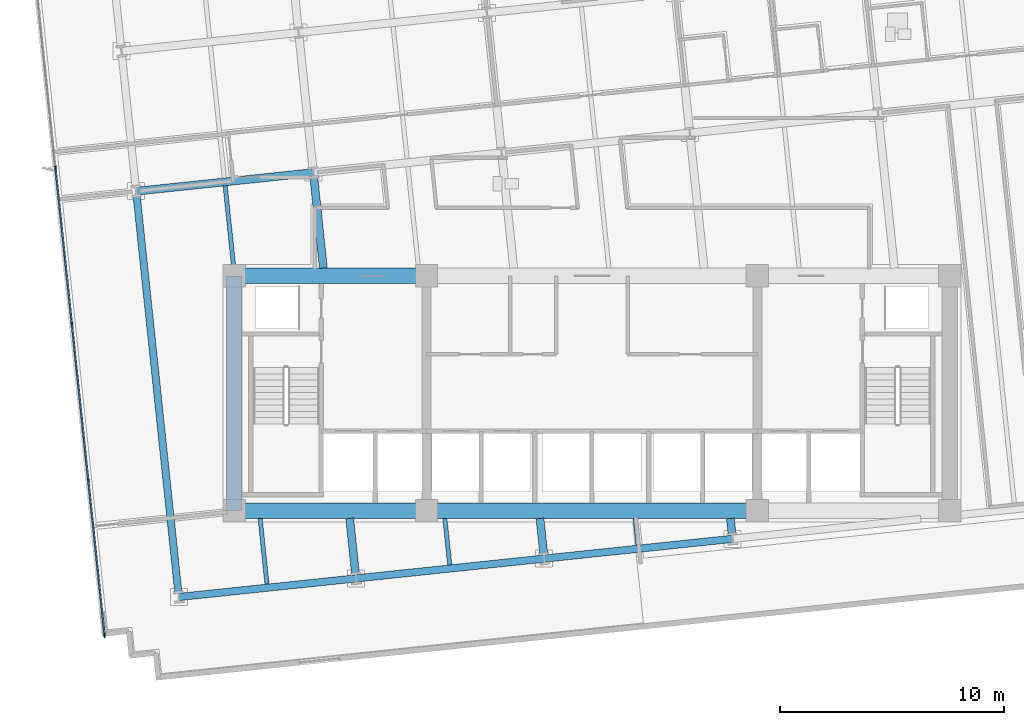
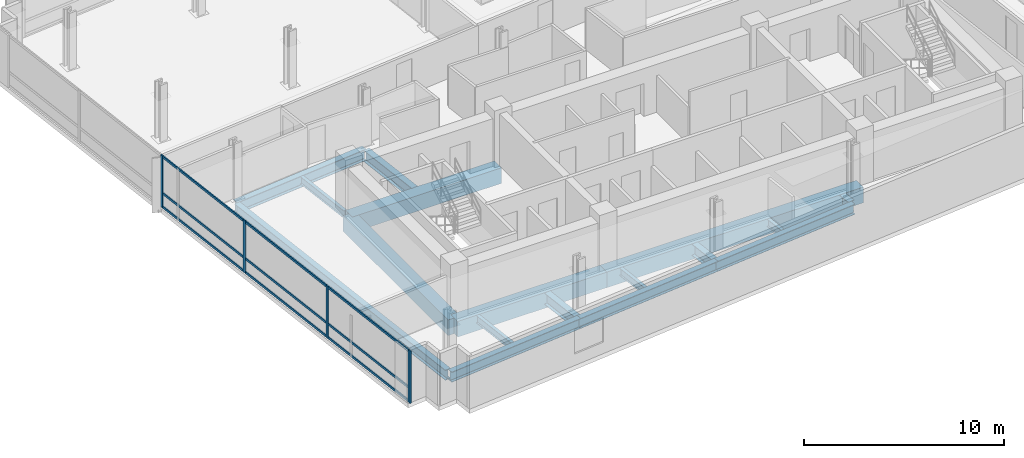
# One storey, part 2 of 17: 17 beams, 13 members, 1 element without a shape of its own.
"""IFC4 building model written with IfcOpenShell, lengths in metres."""

from ifc_helpers import new_model, si_unit, direction, frame, origin, origin_2d, place, context, subcontext, project, spatial, rectangle, i_section, extrude, material, material_profile, profile_set, type_object, element, aggregate, save


model = new_model("IFC4")

# Units and contexts
model_context = context("Model", 3, precision=1e-05, world=origin(), true_north=direction((0.0, 1.0)))
body_context = subcontext(model_context, "Body", "Model", "MODEL_VIEW")
ifc_project = project(units=[si_unit("LENGTHUNIT", "METRE"), si_unit("AREAUNIT", "SQUARE_METRE"), si_unit("VOLUMEUNIT", "CUBIC_METRE"), si_unit("PLANEANGLEUNIT", "RADIAN"), si_unit("MASSUNIT", "GRAM", prefix="KILO")], contexts=[model_context])

# Site, building, storey
site_placement = place(None, origin())
site = spatial("IfcSite", under=ifc_project, at=site_placement, CompositionType="ELEMENT")
building_placement = place(site_placement, origin())
building = spatial("IfcBuilding", under=site, at=building_placement, Name="Solmavex Isthmus Hotel", CompositionType="ELEMENT")
storey_placement = place(building_placement, frame((0.0, 0.0, 90.449951171875)))
storey = spatial("IfcBuildingStorey", under=building, at=storey_placement, Name="L24", CompositionType="ELEMENT", Elevation=90.449951171875)

# Beams
ifc_material_1 = material(Name="Steel ASTM A992 Grade 50", Category="steel")
ifc_material_profile_1 = material_profile(ifc_material_1, i_section(OverallWidth=0.354736328125, OverallDepth=0.695556640625, WebThickness=0.015380859375, FlangeThickness=0.02490234375, FilletRadius=0.017822265625, at=origin_2d()), Name="W27X146")
ifc_profile_set_1 = profile_set([ifc_material_profile_1], Name="Steel ASTM A992 Grade 50")
beam_type_1 = type_object("IfcBeamType", Name="BM-BG-W27X146", PredefinedType="BEAM", material=ifc_profile_set_1)
beam_1_placement = place(storey_placement, frame((-20.383056640625, 1.28564453125, -0.607666015625), z_axis=(0.994520217478, 0.10454442609, 0.0), x_axis=(-0.10454442609, 0.994520217478, 0.0)))
element("IfcBeam", 1, at=beam_1_placement, inside=storey, type_object=beam_type_1, Name="Floor Girder L24-UG07", PredefinedType="BEAM", context=body_context, shape_type="SweptSolid", body=[
    extrude(i_section(OverallWidth=0.354736328125, OverallDepth=0.695556640625, WebThickness=0.015380859375, FlangeThickness=0.02490234375, FilletRadius=0.017822265625, at=origin_2d()), origin(), (0.0, 0.0, 1.0), 7.968017578125),
])
beam_2_placement = place(storey_placement, frame((-10.568115234375, -15.868896484375, -0.607666015625), z_axis=(-0.104589444628, 0.994515484079, 0.0), x_axis=(-0.994515484079, -0.104589444628, 0.0)))
element("IfcBeam", 2, at=beam_2_placement, inside=storey, type_object=beam_type_1, Name="Floor Beam L24-VG28", PredefinedType="BEAM", context=body_context, shape_type="SweptSolid", body=[
    extrude(i_section(OverallWidth=0.354736328125, OverallDepth=0.695556640625, WebThickness=0.015380859375, FlangeThickness=0.02490234375, FilletRadius=0.017822265625, at=origin_2d()), origin(), (0.0, 0.0, 1.0), 2.53271484375),
])
beam_3_placement = place(storey_placement, frame((-12.010009765625, -2.14990234375, -0.607666015625), z_axis=(-0.104548881212, 0.994519749144, 0.0), x_axis=(-0.994519749144, -0.104548881212, 0.0)))
element("IfcBeam", 3, at=beam_3_placement, inside=storey, type_object=beam_type_1, Name="Floor Beam L24-VG29", PredefinedType="BEAM", context=body_context, shape_type="SweptSolid", body=[
    extrude(i_section(OverallWidth=0.354736328125, OverallDepth=0.695556640625, WebThickness=0.015380859375, FlangeThickness=0.02490234375, FilletRadius=0.017822265625, at=origin_2d()), origin(), (0.0, 0.0, 1.0), 4.114501953125),
])
beam_4_placement = place(storey_placement, frame((-2.148681640625, -14.984130859375, -0.607666015625), z_axis=(-0.104460468373, 0.99452903957, 0.0), x_axis=(-0.99452903957, -0.104460468373, 0.0)))
element("IfcBeam", 4, at=beam_4_placement, inside=storey, type_object=beam_type_1, Name="Floor Beam L24-VG32", PredefinedType="BEAM", context=body_context, shape_type="SweptSolid", body=[
    extrude(i_section(OverallWidth=0.354736328125, OverallDepth=0.695556640625, WebThickness=0.015380859375, FlangeThickness=0.02490234375, FilletRadius=0.017822265625, at=origin_2d()), origin(), (0.0, 0.0, 1.0), 1.64306640625),
])
beam_5_placement = place(storey_placement, frame((6.27099609375, -14.09912109375, -0.607666015625), z_axis=(-0.104381041728, 0.99453737895, 0.0), x_axis=(-0.99453737895, -0.104381041728, 0.0)))
element("IfcBeam", 5, at=beam_5_placement, inside=storey, type_object=beam_type_1, Name="Floor Beam L24-VG36", PredefinedType="BEAM", context=body_context, shape_type="SweptSolid", body=[
    extrude(i_section(OverallWidth=0.354736328125, OverallDepth=0.695556640625, WebThickness=0.015380859375, FlangeThickness=0.02490234375, FilletRadius=0.017822265625, at=origin_2d()), origin(), (0.0, 0.0, 1.0), 0.753173828125),
])
ifc_material_profile_2 = material_profile(ifc_material_1, i_section(OverallWidth=0.1904296875, OverallDepth=0.456787109375, WebThickness=0.009033203125, FlangeThickness=0.014404296875, FilletRadius=0.0126953125, at=origin_2d()), Name="W18X50")
ifc_profile_set_2 = profile_set([ifc_material_profile_2], Name="Steel ASTM A992 Grade 50")
beam_type_2 = type_object("IfcBeamType", Name="BM-BJ-W18X50", PredefinedType="JOIST", material=ifc_profile_set_2)
beam_6_placement = place(storey_placement, frame((-14.5302734375, -16.285400390625, -0.48828125), z_axis=(-0.104555607512, 0.994519042019, 0.0), x_axis=(-0.994519042019, -0.104555607512, 0.0)))
element("IfcBeam", 6, at=beam_6_placement, inside=storey, type_object=beam_type_2, Name="Secondary Floor Joist L24-J01", PredefinedType="JOIST", context=body_context, shape_type="SweptSolid", body=[
    extrude(i_section(OverallWidth=0.1904296875, OverallDepth=0.456787109375, WebThickness=0.009033203125, FlangeThickness=0.014404296875, FilletRadius=0.0126953125, at=origin_2d()), origin(), (0.0, 0.0, 1.0), 2.951416015625),
])
beam_7_placement = place(storey_placement, frame((-16.01611328125, -2.14990234375, -0.48828125), z_axis=(-0.104505969986, 0.99452425925, 0.0), x_axis=(-0.99452425925, -0.104505969986, 0.0)))
element("IfcBeam", 7, at=beam_7_placement, inside=storey, type_object=beam_type_2, Name="Secondary Floor Joist L24-J02", PredefinedType="JOIST", context=body_context, shape_type="SweptSolid", body=[
    extrude(i_section(OverallWidth=0.1904296875, OverallDepth=0.456787109375, WebThickness=0.009033203125, FlangeThickness=0.014404296875, FilletRadius=0.0126953125, at=origin_2d()), origin(), (0.0, 0.0, 1.0), 3.69580078125),
])
beam_8_placement = place(storey_placement, frame((-6.3583984375, -15.426513671875, -0.48828125), z_axis=(-0.104538696399, 0.99452081977, 0.0), x_axis=(-0.99452081977, -0.104538696399, 0.0)))
element("IfcBeam", 8, at=beam_8_placement, inside=storey, type_object=beam_type_2, Name="Secondary Floor Joist L24-J05", PredefinedType="JOIST", context=body_context, shape_type="SweptSolid", body=[
    extrude(i_section(OverallWidth=0.1904296875, OverallDepth=0.456787109375, WebThickness=0.009033203125, FlangeThickness=0.014404296875, FilletRadius=0.0126953125, at=origin_2d()), origin(), (0.0, 0.0, 1.0), 2.087890625),
])
beam_9_placement = place(storey_placement, frame((2.061279296875, -14.54150390625, -0.48828125), z_axis=(-0.104546872872, 0.994519960269, 0.0), x_axis=(-0.994519960269, -0.104546872872, 0.0)))
element("IfcBeam", 9, at=beam_9_placement, inside=storey, type_object=beam_type_2, Name="Secondary Floor Joist L24-J09", PredefinedType="JOIST", context=body_context, shape_type="SweptSolid", body=[
    extrude(i_section(OverallWidth=0.1904296875, OverallDepth=0.456787109375, WebThickness=0.009033203125, FlangeThickness=0.014404296875, FilletRadius=0.0126953125, at=origin_2d()), origin(), (0.0, 0.0, 1.0), 1.197998046875),
])
ifc_material_2 = material(Name="Concrete C60/75", Category="concrete")
ifc_material_profile_3 = material_profile(ifc_material_2, rectangle(XDim=0.699951171875, YDim=0.949951171875, at=origin_2d()), Name="RC700X950")
ifc_profile_set_3 = profile_set([ifc_material_profile_3], Name="Concrete C60/75")
beam_type_3 = type_object("IfcBeamType", Name="BM-CB-700X950", PredefinedType="BEAM", material=ifc_profile_set_3)
beam_10_placement = place(storey_placement, frame((-16.0, -13.0, -0.73486328125), z_axis=(1.0, 0.0, 0.0), x_axis=(0.0, 1.0, 0.0)))
element("IfcBeam", 10, at=beam_10_placement, inside=storey, type_object=beam_type_3, Name="Core Coupling Beam L24-CB1", PredefinedType="BEAM", context=body_context, shape_type="SweptSolid", body=[
    extrude(rectangle(XDim=0.699951171875, YDim=0.949951171875, at=origin_2d()), origin(), (0.0, 0.0, 1.0), 8.60009765625),
])
beam_11_placement = place(storey_placement, frame((-7.39990234375, -13.0, -0.73486328125), z_axis=(1.0, 0.0, 0.0), x_axis=(0.0, 1.0, 0.0)))
element("IfcBeam", 11, at=beam_11_placement, inside=storey, type_object=beam_type_3, Name="Core Coupling Beam L24-CB2", PredefinedType="BEAM", context=body_context, shape_type="SweptSolid", body=[
    extrude(rectangle(XDim=0.699951171875, YDim=0.949951171875, at=origin_2d()), origin(), (0.0, 0.0, 1.0), 14.7998046875),
])
beam_12_placement = place(storey_placement, frame((-16.0, -2.5, -0.73486328125), z_axis=(1.0, 0.0, 0.0), x_axis=(0.0, 1.0, 0.0)))
element("IfcBeam", 12, at=beam_12_placement, inside=storey, type_object=beam_type_3, Name="Core Coupling Beam L24-CB4", PredefinedType="BEAM", context=body_context, shape_type="SweptSolid", body=[
    extrude(rectangle(XDim=0.699951171875, YDim=0.949951171875, at=origin_2d()), origin(), (0.0, 0.0, 1.0), 8.60009765625),
])
beam_13_placement = place(storey_placement, frame((-16.0, -13.0, -0.73486328125), z_axis=(0.0, 1.0, 0.0), x_axis=(-1.0, 0.0, 0.0)))
element("IfcBeam", 13, at=beam_13_placement, inside=storey, type_object=beam_type_3, Name="Core Coupling Beam L24-CB7", PredefinedType="BEAM", context=body_context, shape_type="SweptSolid", body=[
    extrude(rectangle(XDim=0.699951171875, YDim=0.949951171875, at=origin_2d()), origin(), (0.0, 0.0, 1.0), 10.5),
])
ifc_material_profile_4 = material_profile(ifc_material_1, i_section(OverallWidth=0.326416015625, OverallDepth=0.621826171875, WebThickness=0.015380859375, FlangeThickness=0.0244140625, FilletRadius=0.01513671875, at=origin_2d()), Name="W24X131")
ifc_profile_set_4 = profile_set([ifc_material_profile_4], Name="Steel ASTM A992 Grade 50")
beam_type_4 = type_object("IfcBeamType", Name="BM-SP-W24X131", PredefinedType="SPANDREL", material=ifc_profile_set_4)
beam_14_placement = place(storey_placement, frame((-18.475341796875, -16.8642578125, -0.57080078125), z_axis=(0.994523402738, 0.104514120609, 0.0), x_axis=(-0.104514120609, 0.994523402738, 0.0)))
element("IfcBeam", 14, at=beam_14_placement, inside=storey, type_object=beam_type_4, Name="Floor Girder L24-UG01", PredefinedType="SPANDREL", context=body_context, shape_type="SweptSolid", body=[
    extrude(i_section(OverallWidth=0.326416015625, OverallDepth=0.621826171875, WebThickness=0.015380859375, FlangeThickness=0.0244140625, FilletRadius=0.01513671875, at=origin_2d()), origin(), (0.0, 0.0, 1.0), 7.968017578125),
])
beam_15_placement = place(storey_placement, frame((-10.551025390625, -16.031494140625, -0.57080078125), z_axis=(0.994520770064, 0.104539169271, 0.0), x_axis=(-0.104539169271, 0.994520770064, 0.0)))
element("IfcBeam", 15, at=beam_15_placement, inside=storey, type_object=beam_type_4, Name="Floor Girder L24-UG02", PredefinedType="SPANDREL", context=body_context, shape_type="SweptSolid", body=[
    extrude(i_section(OverallWidth=0.326416015625, OverallDepth=0.621826171875, WebThickness=0.015380859375, FlangeThickness=0.0244140625, FilletRadius=0.01513671875, at=origin_2d()), origin(), (0.0, 0.0, 1.0), 8.4658203125),
])
beam_16_placement = place(storey_placement, frame((-2.131591796875, -15.146484375, -0.57080078125), z_axis=(0.994521085209, 0.104536171134, 0.0), x_axis=(-0.104536171134, 0.994521085209, 0.0)))
element("IfcBeam", 16, at=beam_16_placement, inside=storey, type_object=beam_type_4, Name="Floor Girder L24-UG03", PredefinedType="SPANDREL", context=body_context, shape_type="SweptSolid", body=[
    extrude(i_section(OverallWidth=0.326416015625, OverallDepth=0.621826171875, WebThickness=0.015380859375, FlangeThickness=0.0244140625, FilletRadius=0.01513671875, at=origin_2d()), origin(), (0.0, 0.0, 1.0), 8.466064453125),
])
beam_17_placement = place(storey_placement, frame((-18.492431640625, -16.701904296875, -0.57080078125), z_axis=(-0.104530088192, 0.99452172458, 0.0), x_axis=(-0.99452172458, -0.104530088192, 0.0)))
element("IfcBeam", 17, at=beam_17_placement, inside=storey, type_object=beam_type_4, Name="Floor Beam L24-VG25", PredefinedType="SPANDREL", context=body_context, shape_type="SweptSolid", body=[
    extrude(i_section(OverallWidth=0.326416015625, OverallDepth=0.621826171875, WebThickness=0.015380859375, FlangeThickness=0.0244140625, FilletRadius=0.01513671875, at=origin_2d()), origin(), (0.0, 0.0, 1.0), 17.909423828125),
])

# Curtain wall, members
ifc_material_3 = material(Name="Aluminium alloy 6063-T6", Category="aluminium")
curtain_wall_type = type_object("IfcCurtainWallType", Name="CW-SYS-03", PredefinedType="NOTDEFINED", material=ifc_material_3)
curtain_wall_placement = place(storey_placement, origin())
curtain_wall = element("IfcCurtainWall", 18, at=curtain_wall_placement, inside=storey, type_object=curtain_wall_type, Name="Stick Curtain Wall CWL-L24-W1", PredefinedType="NOTDEFINED")
ifc_material_profile_5 = material_profile(ifc_material_3, rectangle(XDim=0.070068359375, YDim=0.179931640625, at=origin_2d()), Name="CWM-70X180")
ifc_profile_set_5 = profile_set([ifc_material_profile_5], Name="Aluminium alloy 6063-T6")
member_type_1 = type_object("IfcMemberType", Name="CW-SYS-03-MUL", PredefinedType="MULLION", material=ifc_profile_set_5)
member_1_placement = place(storey_placement, frame((-21.793701171875, -18.585693359375, 0.0), z_axis=(0.0, 0.0, 1.0), x_axis=(-0.994521893044, -0.104528485381, 0.0)))
member_1 = element("IfcMember", 19, at=member_1_placement, type_object=member_type_1, Name="CW-03 mullion 1", PredefinedType="MULLION", context=body_context, shape_type="SweptSolid", body=[
    extrude(rectangle(XDim=0.070068359375, YDim=0.179931640625, at=origin_2d()), origin(), (0.0, 0.0, 1.0), 3.18994140625),
])
member_2_placement = place(storey_placement, frame((-22.52392578125, -11.638916015625, 0.0), z_axis=(0.0, 0.0, 1.0), x_axis=(-0.994521893044, -0.104528485381, 0.0)))
member_2 = element("IfcMember", 20, at=member_2_placement, type_object=member_type_1, Name="CW-03 mullion 2", PredefinedType="MULLION", context=body_context, shape_type="SweptSolid", body=[
    extrude(rectangle(XDim=0.070068359375, YDim=0.179931640625, at=origin_2d()), origin(), (0.0, 0.0, 1.0), 3.18994140625),
])
member_3_placement = place(storey_placement, frame((-23.257568359375, -4.6572265625, 0.0), z_axis=(0.0, 0.0, 1.0), x_axis=(-0.994521893044, -0.104528485381, 0.0)))
member_3 = element("IfcMember", 21, at=member_3_placement, type_object=member_type_1, Name="CW-03 mullion 3", PredefinedType="MULLION", context=body_context, shape_type="SweptSolid", body=[
    extrude(rectangle(XDim=0.070068359375, YDim=0.179931640625, at=origin_2d()), origin(), (0.0, 0.0, 1.0), 3.18994140625),
])
member_4_placement = place(storey_placement, frame((-23.991455078125, 2.32421875, 0.0), z_axis=(0.0, 0.0, 1.0), x_axis=(-0.994521893044, -0.104528485381, 0.0)))
member_4 = element("IfcMember", 22, at=member_4_placement, type_object=member_type_1, Name="CW-03 mullion 4", PredefinedType="MULLION", context=body_context, shape_type="SweptSolid", body=[
    extrude(rectangle(XDim=0.070068359375, YDim=0.179931640625, at=origin_2d()), origin(), (0.0, 0.0, 1.0), 3.18994140625),
])
ifc_material_profile_6 = material_profile(ifc_material_3, rectangle(XDim=0.070068359375, YDim=0.139892578125, at=origin_2d()), Name="CWT-70X140")
ifc_profile_set_6 = profile_set([ifc_material_profile_6], Name="Aluminium alloy 6063-T6")
member_type_2 = type_object("IfcMemberType", Name="CW-SYS-03-TRN", PredefinedType="USERDEFINED", material=ifc_profile_set_6)
member_5_placement = place(storey_placement, frame((-21.79736328125, -18.55078125, 0.070068359375), z_axis=(-0.104539595565, 0.994520725254, 0.0), x_axis=(-0.994520725254, -0.104539595565, 0.0)))
member_5 = element("IfcMember", 23, at=member_5_placement, type_object=member_type_2, Name="CW-03 transom 1.1", ObjectType="TRANSOM", PredefinedType="USERDEFINED", context=body_context, shape_type="SweptSolid", body=[
    extrude(rectangle(XDim=0.070068359375, YDim=0.139892578125, at=origin_2d()), origin(), (0.0, 0.0, 1.0), 6.9150390625),
])
member_6_placement = place(storey_placement, frame((-21.79736328125, -18.55078125, 0.900146484375), z_axis=(-0.104539595565, 0.994520725254, 0.0), x_axis=(-0.994520725254, -0.104539595565, 0.0)))
member_6 = element("IfcMember", 24, at=member_6_placement, type_object=member_type_2, Name="CW-03 transom 1.2", ObjectType="TRANSOM", PredefinedType="USERDEFINED", context=body_context, shape_type="SweptSolid", body=[
    extrude(rectangle(XDim=0.070068359375, YDim=0.139892578125, at=origin_2d()), origin(), (0.0, 0.0, 1.0), 6.9150390625),
])
member_7_placement = place(storey_placement, frame((-21.79736328125, -18.55078125, 3.1201171875), z_axis=(-0.104539595565, 0.994520725254, 0.0), x_axis=(-0.994520725254, -0.104539595565, 0.0)))
member_7 = element("IfcMember", 25, at=member_7_placement, type_object=member_type_2, Name="CW-03 transom 1.3", ObjectType="TRANSOM", PredefinedType="USERDEFINED", context=body_context, shape_type="SweptSolid", body=[
    extrude(rectangle(XDim=0.070068359375, YDim=0.139892578125, at=origin_2d()), origin(), (0.0, 0.0, 1.0), 6.9150390625),
])
member_8_placement = place(storey_placement, frame((-22.527587890625, -11.60400390625, 0.070068359375), z_axis=(-0.104507407784, 0.994524108163, 0.0), x_axis=(-0.994524108163, -0.104507407784, 0.0)))
member_8 = element("IfcMember", 26, at=member_8_placement, type_object=member_type_2, Name="CW-03 transom 2.1", ObjectType="TRANSOM", PredefinedType="USERDEFINED", context=body_context, shape_type="SweptSolid", body=[
    extrude(rectangle(XDim=0.070068359375, YDim=0.139892578125, at=origin_2d()), origin(), (0.0, 0.0, 1.0), 6.949951171875),
])
member_9_placement = place(storey_placement, frame((-22.527587890625, -11.60400390625, 0.900146484375), z_axis=(-0.104507407784, 0.994524108163, 0.0), x_axis=(-0.994524108163, -0.104507407784, 0.0)))
member_9 = element("IfcMember", 27, at=member_9_placement, type_object=member_type_2, Name="CW-03 transom 2.2", ObjectType="TRANSOM", PredefinedType="USERDEFINED", context=body_context, shape_type="SweptSolid", body=[
    extrude(rectangle(XDim=0.070068359375, YDim=0.139892578125, at=origin_2d()), origin(), (0.0, 0.0, 1.0), 6.949951171875),
])
member_10_placement = place(storey_placement, frame((-22.527587890625, -11.60400390625, 3.1201171875), z_axis=(-0.104507407784, 0.994524108163, 0.0), x_axis=(-0.994524108163, -0.104507407784, 0.0)))
member_10 = element("IfcMember", 28, at=member_10_placement, type_object=member_type_2, Name="CW-03 transom 2.3", ObjectType="TRANSOM", PredefinedType="USERDEFINED", context=body_context, shape_type="SweptSolid", body=[
    extrude(rectangle(XDim=0.070068359375, YDim=0.139892578125, at=origin_2d()), origin(), (0.0, 0.0, 1.0), 6.949951171875),
])
member_11_placement = place(storey_placement, frame((-23.26123046875, -4.62255859375, 0.070068359375), z_axis=(-0.104538500317, 0.994520840381, 0.0), x_axis=(-0.994520840381, -0.104538500317, 0.0)))
member_11 = element("IfcMember", 29, at=member_11_placement, type_object=member_type_2, Name="CW-03 transom 3.1", ObjectType="TRANSOM", PredefinedType="USERDEFINED", context=body_context, shape_type="SweptSolid", body=[
    extrude(rectangle(XDim=0.070068359375, YDim=0.139892578125, at=origin_2d()), origin(), (0.0, 0.0, 1.0), 6.9501953125),
])
member_12_placement = place(storey_placement, frame((-23.26123046875, -4.62255859375, 0.900146484375), z_axis=(-0.104538500317, 0.994520840381, 0.0), x_axis=(-0.994520840381, -0.104538500317, 0.0)))
member_12 = element("IfcMember", 30, at=member_12_placement, type_object=member_type_2, Name="CW-03 transom 3.2", ObjectType="TRANSOM", PredefinedType="USERDEFINED", context=body_context, shape_type="SweptSolid", body=[
    extrude(rectangle(XDim=0.070068359375, YDim=0.139892578125, at=origin_2d()), origin(), (0.0, 0.0, 1.0), 6.9501953125),
])
member_13_placement = place(storey_placement, frame((-23.26123046875, -4.62255859375, 3.1201171875), z_axis=(-0.104538500317, 0.994520840381, 0.0), x_axis=(-0.994520840381, -0.104538500317, 0.0)))
member_13 = element("IfcMember", 31, at=member_13_placement, type_object=member_type_2, Name="CW-03 transom 3.3", ObjectType="TRANSOM", PredefinedType="USERDEFINED", context=body_context, shape_type="SweptSolid", body=[
    extrude(rectangle(XDim=0.070068359375, YDim=0.139892578125, at=origin_2d()), origin(), (0.0, 0.0, 1.0), 6.9501953125),
])
aggregate(curtain_wall, [member_1, member_2, member_3, member_4, member_5, member_6, member_7, member_8, member_9, member_10, member_11, member_12, member_13])

save(model, "model.ifc")
